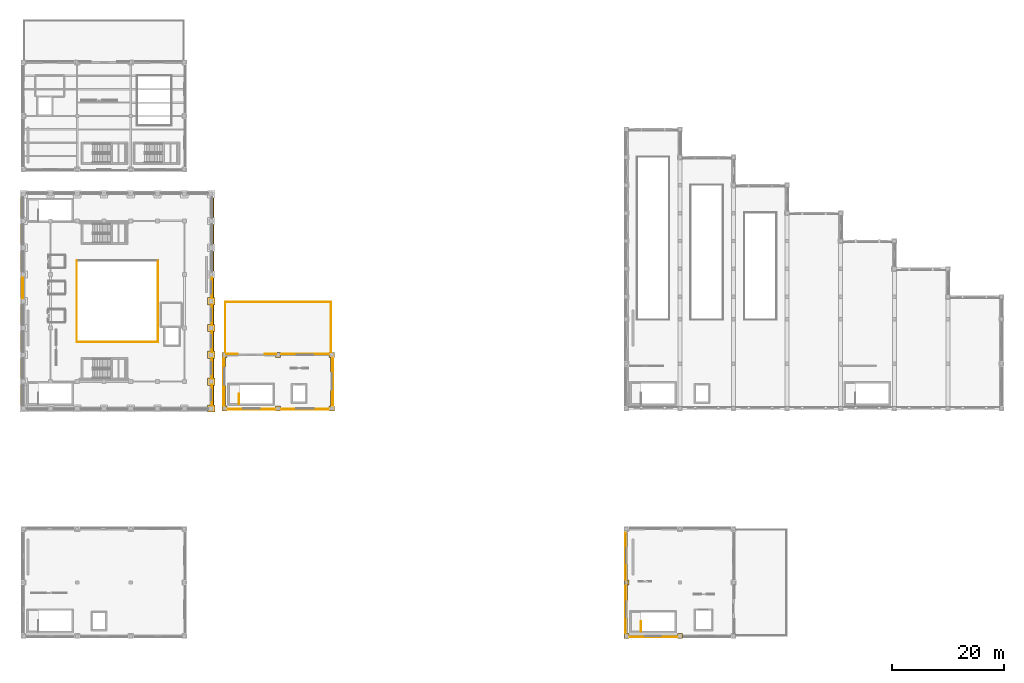
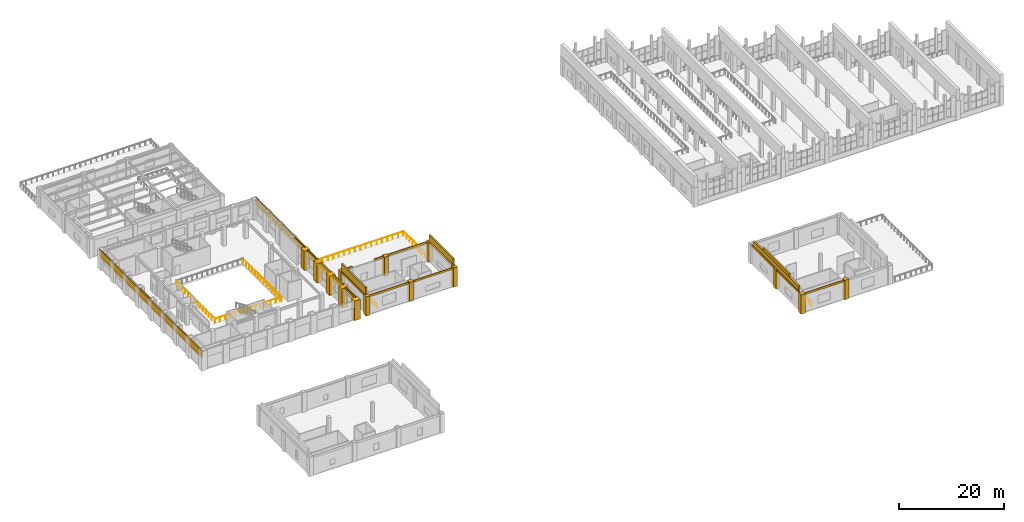
# One storey, part 38 of 46: 36 coverings, 8 railings.
"""IFC4 building model written with IfcOpenShell, lengths in metres."""

import ifcopenshell
import ifcopenshell.guid

model = None  # the IFC model being written
_history = None  # IfcOwnerHistory: only IFC2X3 demands one
_inside = {}  # id of a spatial element -> (the spatial element, [elements in it])
_under = {}  # id of a project, library or spatial element -> (it, [spatial elements below it])
_declared = {}  # id of a project -> (the project, [libraries it declares])
_typed = {}  # id of a type object -> (the type object, [elements of that type])
_made_of = {}  # id of a material, layer set ... -> (it, [elements and type objects made of it])


def new_model(schema):
    """Start an empty IFC model of exactly this schema.

    Asked for "IFC4X3", IfcOpenShell would pick the latest addendum, in which some entities
    have other attributes; the version numbers below select the first issue.
    IFC2X3 requires an IfcOwnerHistory on every rooted entity: one is made here for all.
    """
    global model, _history
    if schema == "IFC4X3":
        model = ifcopenshell.file(schema_version=(4, 3, 0, 0))
    else:
        model = ifcopenshell.file(schema=schema)
    _inside.clear()
    _under.clear()
    _declared.clear()
    _typed.clear()
    _made_of.clear()
    _history = None
    if model.schema == "IFC2X3":
        org = make("IfcOrganization", Name="unknown")
        user = make(
            "IfcPersonAndOrganization",
            ThePerson=make("IfcPerson", FamilyName="unknown"),
            TheOrganization=org,
        )
        app = make(
            "IfcApplication",
            ApplicationDeveloper=org,
            Version="unknown",
            ApplicationFullName="unknown",
            ApplicationIdentifier="unknown",
        )
        _history = make(
            "IfcOwnerHistory",
            OwningUser=user,
            OwningApplication=app,
            ChangeAction="ADDED",
            CreationDate=0,
        )
    return model


def make(cls, **values):
    """One entity of the class cls with the attributes given. An attribute that is None is left unset."""
    return model.create_entity(
        cls, **{name: value for name, value in values.items() if value is not None}
    )


def rooted(cls, **values):
    """An entity with a GlobalId (a new one), such as an element, a storey or a relation."""
    return make(cls, GlobalId=ifcopenshell.guid.new(), OwnerHistory=_history, **values)


def si_unit(unit_type, name, prefix=None):
    """IfcSIUnit, for example si_unit("LENGTHUNIT", "METRE", prefix="MILLI")."""
    return make("IfcSIUnit", UnitType=unit_type, Prefix=prefix, Name=name)


def assignment(units):
    """IfcUnitAssignment: the units of a project."""
    return None if units is None else make("IfcUnitAssignment", Units=units)


def point(xyz):
    """IfcCartesianPoint."""
    return None if xyz is None else make("IfcCartesianPoint", Coordinates=xyz)


def direction(xyz):
    """IfcDirection."""
    return None if xyz is None else make("IfcDirection", DirectionRatios=xyz)


def frame(location, z_axis=None, x_axis=None):
    """IfcAxis2Placement3D, a coordinate frame: its origin and axes. An axis left out is left unset."""
    return make(
        "IfcAxis2Placement3D",
        Location=point(location),
        Axis=direction(z_axis),
        RefDirection=direction(x_axis),
    )


def frame_2d(location, x_axis=None):
    """IfcAxis2Placement2D, a coordinate frame in the plane: its origin and x axis."""
    return make(
        "IfcAxis2Placement2D", Location=point(location), RefDirection=direction(x_axis)
    )


def origin():
    """The frame at (0, 0, 0) with its axes left unset."""
    return frame((0.0, 0.0, 0.0))


def origin_2d():
    """The frame at (0, 0) in the plane with its x axis left unset."""
    return frame_2d((0.0, 0.0))


def place(relative_to, where):
    """IfcLocalPlacement: puts the frame where relative to a parent placement (None: the world)."""
    return make(
        "IfcLocalPlacement", PlacementRelTo=relative_to, RelativePlacement=where
    )


def context(
    kind, dimensions, precision=None, world=None, true_north=None, identifier=None
):
    """IfcGeometricRepresentationContext, for example the 3D "Model" context."""
    return make(
        "IfcGeometricRepresentationContext",
        ContextIdentifier=identifier,
        ContextType=kind,
        CoordinateSpaceDimension=dimensions,
        Precision=precision,
        WorldCoordinateSystem=world,
        TrueNorth=true_north,
    )


def subcontext(parent, identifier, kind, view, scale=None):
    """IfcGeometricRepresentationSubContext, for example "Body" below "Model"."""
    return make(
        "IfcGeometricRepresentationSubContext",
        ContextIdentifier=identifier,
        ContextType=kind,
        ParentContext=parent,
        TargetScale=scale,
        TargetView=view,
    )


def project(units=None, contexts=None):
    """IfcProject with its units and contexts."""
    return rooted(
        "IfcProject",
        Name="project",
        RepresentationContexts=contexts,
        UnitsInContext=assignment(units),
    )


def spatial(cls, under=None, at=None, **own):
    """A site, building, storey or space (cls), placed at a placement, below another one or the project."""
    s = rooted(cls, ObjectPlacement=at, **own)
    if under is not None:
        _under.setdefault(under.id(), (under, []))[1].append(s)
    return s


def polyline(points):
    """IfcPolyline through the points."""
    return make("IfcPolyline", Points=[point(p) for p in points])


def profile(cls, at=None, kind="AREA", **sizes):
    """A parametric profile (cls). Its sizes go by their IFC names, for example OverallWidth=200.0."""
    return make(cls, ProfileType=kind, Position=at, **sizes)


def circle(**sizes):
    """IfcCircleProfileDef."""
    return profile("IfcCircleProfileDef", **sizes)


def outline(outer, holes=None, kind="AREA"):
    """IfcArbitraryClosedProfileDef: a profile drawn as a closed curve; with holes, ...WithVoids."""
    if holes is None:
        return make("IfcArbitraryClosedProfileDef", ProfileType=kind, OuterCurve=outer)
    return make(
        "IfcArbitraryProfileDefWithVoids",
        ProfileType=kind,
        OuterCurve=outer,
        InnerCurves=holes,
    )


def extrude(swept, where, along, depth):
    """IfcExtrudedAreaSolid: the profile swept, set in the frame where, extruded along a direction by depth."""
    return make(
        "IfcExtrudedAreaSolid",
        SweptArea=swept,
        Position=where,
        ExtrudedDirection=direction(along),
        Depth=depth,
    )


def shape(context_of_items, identifier, shape_type, items):
    """IfcShapeRepresentation: the items that make up one representation, for example the "Body"."""
    return make(
        "IfcShapeRepresentation",
        ContextOfItems=context_of_items,
        RepresentationIdentifier=identifier,
        RepresentationType=shape_type,
        Items=items,
    )


def material(Name=None, Category=None):
    """IfcMaterial."""
    return make("IfcMaterial", Name=Name, Category=Category)


def layer(
    of_material, thickness, ventilated=None, Name=None, Category=None, Priority=None
):
    """IfcMaterialLayer: one layer of a wall or slab, of a material (None: an air gap)."""
    return make(
        "IfcMaterialLayer",
        Material=of_material,
        LayerThickness=thickness,
        IsVentilated=ventilated,
        Name=Name,
        Category=Category,
        Priority=Priority,
    )


def layer_set(layers, Name=None):
    """IfcMaterialLayerSet."""
    return make("IfcMaterialLayerSet", MaterialLayers=layers, LayerSetName=Name)


def made_of(thing, what):
    """Note that an element or type object is made of a material, layer set ...; save() writes the relation."""
    if what is not None:
        _made_of.setdefault(what.id(), (what, []))[1].append(thing)
    return thing


def type_object(cls, material=None, **own):
    """A type object (cls), such as IfcWallType, which elements share."""
    return made_of(rooted(cls, **own), material)


def element(
    cls,
    number,
    at=None,
    inside=None,
    cuts=None,
    type_object=None,
    material=None,
    context=None,
    identifier="Body",
    shape_type=None,
    held_by="IfcProductDefinitionShape",
    body=None,
    shapes=None,
    **own,
):
    """One element of the class cls, such as IfcWall. Its Tag is "e" and its number.

    at: its placement. inside: the storey or other place that contains it. cuts: it is an
    opening in that element (IfcRelVoidsElement). A single representation is given by context,
    identifier, shape_type and body (its items); several are given by shapes. held_by: the class
    of the entity that holds the representations. save() writes the other relations.
    """
    e = rooted(cls, Tag="e%d" % number, ObjectPlacement=at, **own)
    if body is not None:
        shapes = [shape(context, identifier, shape_type, body)]
    if shapes is not None:
        e.Representation = make(held_by, Representations=shapes)
    if inside is not None:
        _inside.setdefault(inside.id(), (inside, []))[1].append(e)
    if cuts is not None:
        rooted(
            "IfcRelVoidsElement", RelatingBuildingElement=cuts, RelatedOpeningElement=e
        )
    if type_object is not None:
        _typed.setdefault(type_object.id(), (type_object, []))[1].append(e)
    return made_of(e, material)


def aggregate(whole, parts):
    """IfcRelAggregates: a whole, such as a stair, and the parts it consists of."""
    return rooted("IfcRelAggregates", RelatingObject=whole, RelatedObjects=parts)


def save(model, path):
    """Write the relations noted so far, then the file.

    IfcRelAggregates (storeys below a building ...), IfcRelContainedInSpatialStructure (elements
    in a storey), IfcRelDefinesByType, IfcRelAssociatesMaterial and IfcRelDeclares: one each for
    every whole, place, type object, material and project.
    """
    for whole, parts in _under.values():
        aggregate(whole, parts)
    for where, things in _inside.values():
        rooted(
            "IfcRelContainedInSpatialStructure",
            RelatedElements=things,
            RelatingStructure=where,
        )
    for kind, things in _typed.values():
        rooted("IfcRelDefinesByType", RelatedObjects=things, RelatingType=kind)
    for what, things in _made_of.values():
        rooted("IfcRelAssociatesMaterial", RelatedObjects=things, RelatingMaterial=what)
    for by, libraries in _declared.values():
        rooted("IfcRelDeclares", RelatingContext=by, RelatedDefinitions=libraries)
    model.write(path)


model = new_model("IFC4")

# Units and contexts
model_context = context("Model", 3, precision=1e-05, world=origin(), true_north=direction((0.0, 1.0)))
body_context = subcontext(model_context, "Body", "Model", "MODEL_VIEW")
ifc_project = project(units=[si_unit("LENGTHUNIT", "METRE"), si_unit("AREAUNIT", "SQUARE_METRE"), si_unit("VOLUMEUNIT", "CUBIC_METRE"), si_unit("PLANEANGLEUNIT", "RADIAN"), si_unit("MASSUNIT", "GRAM", prefix="KILO")], contexts=[model_context])

# Site, building, storey
site_placement = place(None, origin())
site = spatial("IfcSite", under=ifc_project, at=site_placement, CompositionType="ELEMENT")
building_placement = place(site_placement, origin())
building = spatial("IfcBuilding", under=site, at=building_placement, Name="Mavantir Sound Aquarium", CompositionType="ELEMENT")
storey_placement = place(building_placement, frame((0.0, 0.0, 15.300048828125)))
storey = spatial("IfcBuildingStorey", under=building, at=storey_placement, Name="L03", CompositionType="ELEMENT", Elevation=15.300048828125)

# Coverings
ifc_material_1 = material(Name="Honed Coral-Limestone & Glazed Terracotta Rainscreen Cladding", Category="masonry")
ifc_layer = layer(ifc_material_1, 0.06005859375, Name="Honed Coral-Limestone & Glazed Terracotta Rainscreen Cladding")
ifc_layer_set = layer_set([ifc_layer], Name="Honed Coral-Limestone & Glazed Terracotta Rainscreen Cladding")
covering_type = type_object("IfcCoveringType", Name="COV-CLAD-TC", PredefinedType="CLADDING", material=ifc_layer_set)
covering_1_placement = place(storey_placement, frame((0.0, 0.0, 4.02490234375)))
element("IfcCovering", 1, at=covering_1_placement, inside=storey, type_object=covering_type, Name="L03 Postmodern coral-limestone spandrel frieze 399", PredefinedType="CLADDING", context=body_context, shape_type="SweptSolid", body=[
    extrude(outline(polyline([(33.68994140625, 41.18310546875), (33.68994140625, 45.217041015625), (33.840087890625, 45.217041015625), (33.840087890625, 41.18310546875), (33.68994140625, 41.18310546875)])), origin(), (0.0, 0.0, 1.0), 0.47509765625),
])
covering_2_placement = place(storey_placement, frame((0.0, 0.0, 4.02490234375)))
element("IfcCovering", 2, at=covering_2_placement, inside=storey, type_object=covering_type, Name="L03 Postmodern coral-limestone spandrel frieze 400", PredefinedType="CLADDING", context=body_context, shape_type="SweptSolid", body=[
    extrude(outline(polyline([(33.68994140625, 45.98291015625), (33.68994140625, 50.01708984375), (33.840087890625, 50.01708984375), (33.840087890625, 45.98291015625), (33.68994140625, 45.98291015625)])), origin(), (0.0, 0.0, 1.0), 0.47509765625),
])
covering_3_placement = place(storey_placement, frame((0.0, 0.0, 4.02490234375)))
element("IfcCovering", 3, at=covering_3_placement, inside=storey, type_object=covering_type, Name="L03 Postmodern coral-limestone spandrel frieze 401", PredefinedType="CLADDING", context=body_context, shape_type="SweptSolid", body=[
    extrude(outline(polyline([(33.68994140625, 50.782958984375), (33.68994140625, 54.81689453125), (33.840087890625, 54.81689453125), (33.840087890625, 50.782958984375), (33.68994140625, 50.782958984375)])), origin(), (0.0, 0.0, 1.0), 0.47509765625),
])
covering_4_placement = place(storey_placement, frame((0.0, 0.0, 4.02490234375)))
element("IfcCovering", 4, at=covering_4_placement, inside=storey, type_object=covering_type, Name="L03 Postmodern coral-limestone spandrel frieze 402", PredefinedType="CLADDING", context=body_context, shape_type="SweptSolid", body=[
    extrude(outline(polyline([(33.68994140625, 55.5830078125), (33.68994140625, 59.616943359375), (33.840087890625, 59.616943359375), (33.840087890625, 55.5830078125), (33.68994140625, 55.5830078125)])), origin(), (0.0, 0.0, 1.0), 0.47509765625),
])
covering_5_placement = place(storey_placement, frame((0.0, 0.0, 4.02490234375)))
element("IfcCovering", 5, at=covering_5_placement, inside=storey, type_object=covering_type, Name="L03 Postmodern coral-limestone spandrel frieze 403", PredefinedType="CLADDING", context=body_context, shape_type="SweptSolid", body=[
    extrude(outline(polyline([(33.68994140625, 60.383056640625), (33.68994140625, 64.4169921875), (33.840087890625, 64.4169921875), (33.840087890625, 60.383056640625), (33.68994140625, 60.383056640625)])), origin(), (0.0, 0.0, 1.0), 0.47509765625),
])
covering_6_placement = place(storey_placement, frame((0.0, 0.0, 4.02490234375)))
element("IfcCovering", 6, at=covering_6_placement, inside=storey, type_object=covering_type, Name="L03 Postmodern coral-limestone spandrel frieze 417", PredefinedType="CLADDING", context=body_context, shape_type="SweptSolid", body=[
    extrude(outline(polyline([(-0.090087890625, 64.4169921875), (-0.090087890625, 60.383056640625), (-0.239990234375, 60.383056640625), (-0.239990234375, 64.4169921875), (-0.090087890625, 64.4169921875)])), origin(), (0.0, 0.0, 1.0), 0.47509765625),
])
covering_7_placement = place(storey_placement, frame((0.0, 0.0, 4.058349609375)))
element("IfcCovering", 7, at=covering_7_placement, inside=storey, type_object=covering_type, Name="L03 Postmodern coral-limestone spandrel frieze 429", PredefinedType="CLADDING", context=body_context, shape_type="SweptSolid", body=[
    extrude(outline(polyline([(55.2900390625, 41.10791015625), (55.2900390625, 50.092041015625), (55.43994140625, 50.092041015625), (55.43994140625, 41.10791015625), (55.2900390625, 41.10791015625)])), origin(), (0.0, 0.0, 1.0), 0.441650390625),
])
covering_8_placement = place(storey_placement, frame((0.0, 0.0, 4.058349609375)))
element("IfcCovering", 8, at=covering_8_placement, inside=storey, type_object=covering_type, Name="L03 Postmodern coral-limestone spandrel frieze 430", PredefinedType="CLADDING", context=body_context, shape_type="SweptSolid", body=[
    extrude(outline(polyline([(54.89208984375, 50.489990234375), (45.907958984375, 50.489990234375), (45.907958984375, 50.639892578125), (54.89208984375, 50.639892578125), (54.89208984375, 50.489990234375)])), origin(), (0.0, 0.0, 1.0), 0.441650390625),
])
covering_9_placement = place(storey_placement, frame((0.0, 0.0, 4.058349609375)))
element("IfcCovering", 9, at=covering_9_placement, inside=storey, type_object=covering_type, Name="L03 Postmodern coral-limestone spandrel frieze 431", PredefinedType="CLADDING", context=body_context, shape_type="SweptSolid", body=[
    extrude(outline(polyline([(45.2919921875, 50.489990234375), (43.205078125, 50.489990234375), (43.205078125, 50.639892578125), (45.2919921875, 50.639892578125), (45.2919921875, 50.489990234375)])), origin(), (0.0, 0.0, 1.0), 0.441650390625),
])
covering_10_placement = place(storey_placement, frame((0.0, 0.0, 4.058349609375)))
element("IfcCovering", 10, at=covering_10_placement, inside=storey, type_object=covering_type, Name="L03 Postmodern coral-limestone spandrel frieze 432", PredefinedType="CLADDING", context=body_context, shape_type="SweptSolid", body=[
    extrude(outline(polyline([(38.39501953125, 50.489990234375), (36.30810546875, 50.489990234375), (36.30810546875, 50.639892578125), (38.39501953125, 50.639892578125), (38.39501953125, 50.489990234375)])), origin(), (0.0, 0.0, 1.0), 0.441650390625),
])
covering_11_placement = place(storey_placement, frame((0.0, 0.0, 4.058349609375)))
element("IfcCovering", 11, at=covering_11_placement, inside=storey, type_object=covering_type, Name="L03 Postmodern coral-limestone spandrel frieze 433", PredefinedType="CLADDING", context=body_context, shape_type="SweptSolid", body=[
    extrude(outline(polyline([(35.909912109375, 50.092041015625), (35.909912109375, 41.10791015625), (35.760009765625, 41.10791015625), (35.760009765625, 50.092041015625), (35.909912109375, 50.092041015625)])), origin(), (0.0, 0.0, 1.0), 0.441650390625),
])
covering_12_placement = place(storey_placement, frame((0.0, 0.0, 4.058349609375)))
element("IfcCovering", 12, at=covering_12_placement, inside=storey, type_object=covering_type, Name="L03 Postmodern coral-limestone spandrel frieze 434", PredefinedType="CLADDING", context=body_context, shape_type="SweptSolid", body=[
    extrude(outline(polyline([(36.30810546875, 40.7099609375), (45.2919921875, 40.7099609375), (45.2919921875, 40.56005859375), (36.30810546875, 40.56005859375), (36.30810546875, 40.7099609375)])), origin(), (0.0, 0.0, 1.0), 0.441650390625),
])
covering_13_placement = place(storey_placement, frame((0.0, 0.0, 4.058349609375)))
element("IfcCovering", 13, at=covering_13_placement, inside=storey, type_object=covering_type, Name="L03 Postmodern coral-limestone spandrel frieze 435", PredefinedType="CLADDING", context=body_context, shape_type="SweptSolid", body=[
    extrude(outline(polyline([(45.907958984375, 40.7099609375), (54.89208984375, 40.7099609375), (54.89208984375, 40.56005859375), (45.907958984375, 40.56005859375), (45.907958984375, 40.7099609375)])), origin(), (0.0, 0.0, 1.0), 0.441650390625),
])
covering_14_placement = place(storey_placement, frame((0.0, 0.0, 4.070556640625)))
element("IfcCovering", 14, at=covering_14_placement, inside=storey, type_object=covering_type, Name="L03 Postmodern coral-limestone spandrel frieze 480", PredefinedType="CLADDING", context=body_context, shape_type="SweptSolid", body=[
    extrude(outline(polyline([(107.909912109375, 18.89208984375), (107.909912109375, 9.907958984375), (107.760009765625, 9.907958984375), (107.760009765625, 18.89208984375), (107.909912109375, 18.89208984375)])), origin(), (0.0, 0.0, 1.0), 0.429443359375),
])
covering_15_placement = place(storey_placement, frame((0.0, 0.0, 4.070556640625)))
element("IfcCovering", 15, at=covering_15_placement, inside=storey, type_object=covering_type, Name="L03 Postmodern coral-limestone spandrel frieze 481", PredefinedType="CLADDING", context=body_context, shape_type="SweptSolid", body=[
    extrude(outline(polyline([(107.909912109375, 9.2919921875), (107.909912109375, 0.30810546875), (107.760009765625, 0.30810546875), (107.760009765625, 9.2919921875), (107.909912109375, 9.2919921875)])), origin(), (0.0, 0.0, 1.0), 0.429443359375),
])
covering_16_placement = place(storey_placement, frame((0.0, 0.0, 4.070556640625)))
element("IfcCovering", 16, at=covering_16_placement, inside=storey, type_object=covering_type, Name="L03 Postmodern coral-limestone spandrel frieze 482", PredefinedType="CLADDING", context=body_context, shape_type="SweptSolid", body=[
    extrude(outline(polyline([(108.30810546875, -0.090087890625), (117.2919921875, -0.090087890625), (117.2919921875, -0.239990234375), (108.30810546875, -0.239990234375), (108.30810546875, -0.090087890625)])), origin(), (0.0, 0.0, 1.0), 0.429443359375),
])
covering_17_placement = place(storey_placement, origin())
element("IfcCovering", 17, at=covering_17_placement, inside=storey, type_object=covering_type, Name="L03 Postmodern coral-limestone pilaster casing 88", PredefinedType="CLADDING", context=body_context, shape_type="SweptSolid", body=[
    extrude(outline(polyline([(32.949951171875, 40.14990234375), (34.25, 40.14990234375), (34.25, 41.449951171875), (32.949951171875, 41.449951171875), (32.949951171875, 40.14990234375)])), origin(), (0.0, 0.0, 1.0), 4.5),
])
covering_18_placement = place(storey_placement, origin())
element("IfcCovering", 18, at=covering_18_placement, inside=storey, type_object=covering_type, Name="L03 Postmodern coral-limestone pilaster casing 92", PredefinedType="CLADDING", context=body_context, shape_type="SweptSolid", body=[
    extrude(outline(polyline([(32.949951171875, 44.949951171875), (34.25, 44.949951171875), (34.25, 46.25), (32.949951171875, 46.25), (32.949951171875, 44.949951171875)])), origin(), (0.0, 0.0, 1.0), 4.5),
])
covering_19_placement = place(storey_placement, origin())
element("IfcCovering", 19, at=covering_19_placement, inside=storey, type_object=covering_type, Name="L03 Postmodern coral-limestone pilaster casing 96", PredefinedType="CLADDING", context=body_context, shape_type="SweptSolid", body=[
    extrude(outline(polyline([(32.949951171875, 49.75), (34.25, 49.75), (34.25, 51.050048828125), (32.949951171875, 51.050048828125), (32.949951171875, 49.75)])), origin(), (0.0, 0.0, 1.0), 4.5),
])
covering_20_placement = place(storey_placement, origin())
element("IfcCovering", 20, at=covering_20_placement, inside=storey, type_object=covering_type, Name="L03 Postmodern coral-limestone pilaster casing 100", PredefinedType="CLADDING", context=body_context, shape_type="SweptSolid", body=[
    extrude(outline(polyline([(32.949951171875, 54.550048828125), (34.25, 54.550048828125), (34.25, 55.85009765625), (32.949951171875, 55.85009765625), (32.949951171875, 54.550048828125)])), origin(), (0.0, 0.0, 1.0), 4.5),
])
covering_21_placement = place(storey_placement, origin())
element("IfcCovering", 21, at=covering_21_placement, inside=storey, type_object=covering_type, Name="L03 Postmodern coral-limestone pilaster casing 104", PredefinedType="CLADDING", context=body_context, shape_type="SweptSolid", body=[
    extrude(outline(polyline([(32.949951171875, 59.35009765625), (34.25, 59.35009765625), (34.25, 60.64990234375), (32.949951171875, 60.64990234375), (32.949951171875, 59.35009765625)])), origin(), (0.0, 0.0, 1.0), 4.5),
])
covering_22_placement = place(storey_placement, origin())
element("IfcCovering", 22, at=covering_22_placement, inside=storey, type_object=covering_type, Name="L03 Postmodern coral-limestone pilaster casing 124", PredefinedType="CLADDING", context=body_context, shape_type="SweptSolid", body=[
    extrude(outline(polyline([(35.5400390625, 40.340087890625), (36.4599609375, 40.340087890625), (36.4599609375, 41.260009765625), (35.5400390625, 41.260009765625), (35.5400390625, 40.340087890625)])), origin(), (0.0, 0.0, 1.0), 4.5),
])
covering_23_placement = place(storey_placement, origin())
element("IfcCovering", 23, at=covering_23_placement, inside=storey, type_object=covering_type, Name="L03 Postmodern coral-limestone pilaster casing 128", PredefinedType="CLADDING", context=body_context, shape_type="SweptSolid", body=[
    extrude(outline(polyline([(35.5400390625, 49.93994140625), (36.4599609375, 49.93994140625), (36.4599609375, 50.860107421875), (35.5400390625, 50.860107421875), (35.5400390625, 49.93994140625)])), origin(), (0.0, 0.0, 1.0), 4.5),
])
covering_24_placement = place(storey_placement, origin())
element("IfcCovering", 24, at=covering_24_placement, inside=storey, type_object=covering_type, Name="L03 Postmodern coral-limestone pilaster casing 137", PredefinedType="CLADDING", context=body_context, shape_type="SweptSolid", body=[
    extrude(outline(polyline([(45.139892578125, 40.340087890625), (46.06005859375, 40.340087890625), (46.06005859375, 41.260009765625), (45.139892578125, 41.260009765625), (45.139892578125, 40.340087890625)])), origin(), (0.0, 0.0, 1.0), 4.5),
])
covering_25_placement = place(storey_placement, origin())
element("IfcCovering", 25, at=covering_25_placement, inside=storey, type_object=covering_type, Name="L03 Postmodern coral-limestone pilaster casing 138", PredefinedType="CLADDING", context=body_context, shape_type="SweptSolid", body=[
    extrude(outline(polyline([(45.139892578125, 49.93994140625), (46.06005859375, 49.93994140625), (46.06005859375, 50.860107421875), (45.139892578125, 50.860107421875), (45.139892578125, 49.93994140625)])), origin(), (0.0, 0.0, 1.0), 4.5),
])
covering_26_placement = place(storey_placement, origin())
element("IfcCovering", 26, at=covering_26_placement, inside=storey, type_object=covering_type, Name="L03 Postmodern coral-limestone pilaster casing 145", PredefinedType="CLADDING", context=body_context, shape_type="SweptSolid", body=[
    extrude(outline(polyline([(54.739990234375, 40.340087890625), (55.659912109375, 40.340087890625), (55.659912109375, 41.260009765625), (54.739990234375, 41.260009765625), (54.739990234375, 40.340087890625)])), origin(), (0.0, 0.0, 1.0), 4.5),
])
covering_27_placement = place(storey_placement, origin())
element("IfcCovering", 27, at=covering_27_placement, inside=storey, type_object=covering_type, Name="L03 Postmodern coral-limestone pilaster casing 147", PredefinedType="CLADDING", context=body_context, shape_type="SweptSolid", body=[
    extrude(outline(polyline([(54.739990234375, 49.93994140625), (55.659912109375, 49.93994140625), (55.659912109375, 50.860107421875), (54.739990234375, 50.860107421875), (54.739990234375, 49.93994140625)])), origin(), (0.0, 0.0, 1.0), 4.5),
])
covering_28_placement = place(storey_placement, origin())
element("IfcCovering", 28, at=covering_28_placement, inside=storey, type_object=covering_type, Name="L03 Postmodern coral-limestone pilaster casing 420", PredefinedType="CLADDING", context=body_context, shape_type="SweptSolid", body=[
    extrude(outline(polyline([(107.5400390625, -0.4599609375), (108.4599609375, -0.4599609375), (108.4599609375, 0.4599609375), (107.5400390625, 0.4599609375), (107.5400390625, -0.4599609375)])), origin(), (0.0, 0.0, 1.0), 4.5),
])
covering_29_placement = place(storey_placement, origin())
element("IfcCovering", 29, at=covering_29_placement, inside=storey, type_object=covering_type, Name="L03 Postmodern coral-limestone pilaster casing 424", PredefinedType="CLADDING", context=body_context, shape_type="SweptSolid", body=[
    extrude(outline(polyline([(107.5400390625, 9.139892578125), (108.4599609375, 9.139892578125), (108.4599609375, 10.06005859375), (107.5400390625, 10.06005859375), (107.5400390625, 9.139892578125)])), origin(), (0.0, 0.0, 1.0), 4.5),
])
covering_30_placement = place(storey_placement, origin())
element("IfcCovering", 30, at=covering_30_placement, inside=storey, type_object=covering_type, Name="L03 Postmodern coral-limestone pilaster casing 433", PredefinedType="CLADDING", context=body_context, shape_type="SweptSolid", body=[
    extrude(outline(polyline([(117.139892578125, -0.4599609375), (118.06005859375, -0.4599609375), (118.06005859375, 0.4599609375), (117.139892578125, 0.4599609375), (117.139892578125, -0.4599609375)])), origin(), (0.0, 0.0, 1.0), 4.5),
])
covering_31_placement = place(storey_placement, frame((0.0, 0.0, 2.89990234375)))
element("IfcCovering", 31, at=covering_31_placement, inside=storey, type_object=covering_type, Name="L03 Postmodern coral-limestone tympanum closure V1-ENT-W", PredefinedType="CLADDING", context=body_context, shape_type="SweptSolid", body=[
    extrude(outline(polyline([(-0.47998046875, 40.5), (-0.239990234375, 40.5), (-0.239990234375, 79.5), (-0.47998046875, 79.5), (-0.47998046875, 40.5)])), origin(), (0.0, 0.0, 1.0), 1.60009765625),
])
covering_32_placement = place(storey_placement, frame((0.0, 0.0, 2.89990234375)))
element("IfcCovering", 32, at=covering_32_placement, inside=storey, type_object=covering_type, Name="L03 Postmodern coral-limestone tympanum closure V1-ENT-E", PredefinedType="CLADDING", context=body_context, shape_type="SweptSolid", body=[
    extrude(outline(polyline([(33.840087890625, 40.5), (34.080078125, 40.5), (34.080078125, 79.5), (33.840087890625, 79.5), (33.840087890625, 40.5)])), origin(), (0.0, 0.0, 1.0), 1.60009765625),
])
covering_33_placement = place(storey_placement, frame((0.0, 0.0, 4.5)))
element("IfcCovering", 33, at=covering_33_placement, inside=storey, type_object=covering_type, Name="L03 Postmodern coral-limestone tympanum closure V2-TYM-W", PredefinedType="CLADDING", context=body_context, shape_type="SweptSolid", body=[
    extrude(outline(polyline([(35.820068359375, 41.0), (36.179931640625, 41.0), (36.179931640625, 50.199951171875), (35.820068359375, 50.199951171875), (35.820068359375, 41.0)])), origin(), (0.0, 0.0, 1.0), 1.64990234375),
])
covering_34_placement = place(storey_placement, frame((0.0, 0.0, 4.5)))
element("IfcCovering", 34, at=covering_34_placement, inside=storey, type_object=covering_type, Name="L03 Postmodern coral-limestone tympanum closure V2-TYM-E", PredefinedType="CLADDING", context=body_context, shape_type="SweptSolid", body=[
    extrude(outline(polyline([(55.02001953125, 41.0), (55.3798828125, 41.0), (55.3798828125, 50.199951171875), (55.02001953125, 50.199951171875), (55.02001953125, 41.0)])), origin(), (0.0, 0.0, 1.0), 1.64990234375),
])
covering_35_placement = place(storey_placement, frame((0.0, 0.0, 4.5)))
element("IfcCovering", 35, at=covering_35_placement, inside=storey, type_object=covering_type, Name="L03 Postmodern coral-limestone tympanum closure V6-TYM-W1", PredefinedType="CLADDING", context=body_context, shape_type="SweptSolid", body=[
    extrude(outline(polyline([(107.820068359375, 1.0), (108.179931640625, 1.0), (108.179931640625, 18.199951171875), (107.820068359375, 18.199951171875), (107.820068359375, 1.0)])), origin(), (0.0, 0.0, 1.0), 1.099853515625),
])
covering_36_placement = place(storey_placement, frame((0.0, 0.0, 5.599853515625)))
element("IfcCovering", 36, at=covering_36_placement, inside=storey, type_object=covering_type, Name="L03 Postmodern coral-limestone tympanum closure V6-TYM-W2", PredefinedType="CLADDING", context=body_context, shape_type="SweptSolid", body=[
    extrude(outline(polyline([(107.820068359375, 4.60009765625), (108.179931640625, 4.60009765625), (108.179931640625, 14.60009765625), (107.820068359375, 14.60009765625), (107.820068359375, 4.60009765625)])), origin(), (0.0, 0.0, 1.0), 0.650146484375),
])

# Railings
ifc_material_2 = material(Name="Stainless Steel 316 and Laminated Glass Guardrail", Category="steel")
railing_type = type_object("IfcRailingType", Name="RL-GUARD-110", PredefinedType="GUARDRAIL", material=ifc_material_2)
railing_1_placement = place(storey_placement, frame((36.1201171875, 50.52001953125, 0.0)))
element("IfcRailing", 37, at=railing_1_placement, inside=storey, type_object=railing_type, Name="L03 terrace W guardrail 19", PredefinedType="GUARDRAIL", context=body_context, shape_type="SweptSolid", body=[
    extrude(circle(Radius=0.02392578125, at=origin_2d()), frame((0.0, 0.0, 1.076171875), z_axis=(0.0, 1.0, 0.0), x_axis=(-1.0, 0.0, 0.0)), (0.0, 0.0, 1.0), 9.35986328125),
    extrude(circle(Radius=0.02099609375, at=origin_2d()), origin(), (0.0, 0.0, 1.0), 1.052001953125),
    extrude(circle(Radius=0.02099609375, at=origin_2d()), frame((0.0, 1.169921875, 0.0)), (0.0, 0.0, 1.0), 1.052001953125),
    extrude(circle(Radius=0.02099609375, at=origin_2d()), frame((0.0, 2.33984375, 0.0)), (0.0, 0.0, 1.0), 1.052001953125),
    extrude(circle(Radius=0.02099609375, at=origin_2d()), frame((0.0, 3.510009765625, 0.0)), (0.0, 0.0, 1.0), 1.052001953125),
    extrude(circle(Radius=0.02099609375, at=origin_2d()), frame((0.0, 4.679931640625, 0.0)), (0.0, 0.0, 1.0), 1.052001953125),
    extrude(circle(Radius=0.02099609375, at=origin_2d()), frame((0.0, 5.849853515625, 0.0)), (0.0, 0.0, 1.0), 1.052001953125),
    extrude(circle(Radius=0.02099609375, at=origin_2d()), frame((0.0, 7.02001953125, 0.0)), (0.0, 0.0, 1.0), 1.052001953125),
    extrude(circle(Radius=0.02099609375, at=origin_2d()), frame((0.0, 8.18994140625, 0.0)), (0.0, 0.0, 1.0), 1.052001953125),
    extrude(circle(Radius=0.02099609375, at=origin_2d()), frame((0.0, 9.35986328125, 0.0)), (0.0, 0.0, 1.0), 1.052001953125),
])
railing_2_placement = place(storey_placement, frame((36.1201171875, 59.8798828125, 0.0)))
element("IfcRailing", 38, at=railing_2_placement, inside=storey, type_object=railing_type, Name="L03 terrace N guardrail 20", PredefinedType="GUARDRAIL", context=body_context, shape_type="SweptSolid", body=[
    extrude(circle(Radius=0.02392578125, at=origin_2d()), frame((0.0, 0.0, 1.076171875), z_axis=(1.0, 0.0, 0.0), x_axis=(0.0, 1.0, 0.0)), (0.0, 0.0, 1.0), 18.9599609375),
    extrude(circle(Radius=0.02099609375, at=origin_2d()), origin(), (0.0, 0.0, 1.0), 1.052001953125),
    extrude(circle(Radius=0.02099609375, at=origin_2d()), frame((1.18505859375, 0.0, 0.0)), (0.0, 0.0, 1.0), 1.052001953125),
    extrude(circle(Radius=0.02099609375, at=origin_2d()), frame((2.3701171875, 0.0, 0.0)), (0.0, 0.0, 1.0), 1.052001953125),
    extrude(circle(Radius=0.02099609375, at=origin_2d()), frame((3.554931640625, 0.0, 0.0)), (0.0, 0.0, 1.0), 1.052001953125),
    extrude(circle(Radius=0.02099609375, at=origin_2d()), frame((4.739990234375, 0.0, 0.0)), (0.0, 0.0, 1.0), 1.052001953125),
    extrude(circle(Radius=0.02099609375, at=origin_2d()), frame((5.925048828125, 0.0, 0.0)), (0.0, 0.0, 1.0), 1.052001953125),
    extrude(circle(Radius=0.02099609375, at=origin_2d()), frame((7.10986328125, 0.0, 0.0)), (0.0, 0.0, 1.0), 1.052001953125),
    extrude(circle(Radius=0.02099609375, at=origin_2d()), frame((8.294921875, 0.0, 0.0)), (0.0, 0.0, 1.0), 1.052001953125),
    extrude(circle(Radius=0.02099609375, at=origin_2d()), frame((9.47998046875, 0.0, 0.0)), (0.0, 0.0, 1.0), 1.052001953125),
    extrude(circle(Radius=0.02099609375, at=origin_2d()), frame((10.6650390625, 0.0, 0.0)), (0.0, 0.0, 1.0), 1.052001953125),
    extrude(circle(Radius=0.02099609375, at=origin_2d()), frame((11.85009765625, 0.0, 0.0)), (0.0, 0.0, 1.0), 1.052001953125),
    extrude(circle(Radius=0.02099609375, at=origin_2d()), frame((13.034912109375, 0.0, 0.0)), (0.0, 0.0, 1.0), 1.052001953125),
    extrude(circle(Radius=0.02099609375, at=origin_2d()), frame((14.219970703125, 0.0, 0.0)), (0.0, 0.0, 1.0), 1.052001953125),
    extrude(circle(Radius=0.02099609375, at=origin_2d()), frame((15.405029296875, 0.0, 0.0)), (0.0, 0.0, 1.0), 1.052001953125),
    extrude(circle(Radius=0.02099609375, at=origin_2d()), frame((16.58984375, 0.0, 0.0)), (0.0, 0.0, 1.0), 1.052001953125),
    extrude(circle(Radius=0.02099609375, at=origin_2d()), frame((17.77490234375, 0.0, 0.0)), (0.0, 0.0, 1.0), 1.052001953125),
    extrude(circle(Radius=0.02099609375, at=origin_2d()), frame((18.9599609375, 0.0, 0.0)), (0.0, 0.0, 1.0), 1.052001953125),
])
railing_3_placement = place(storey_placement, frame((55.080078125, 50.52001953125, 0.0)))
element("IfcRailing", 39, at=railing_3_placement, inside=storey, type_object=railing_type, Name="L03 terrace E guardrail 21", PredefinedType="GUARDRAIL", context=body_context, shape_type="SweptSolid", body=[
    extrude(circle(Radius=0.02392578125, at=origin_2d()), frame((0.0, 0.0, 1.076171875), z_axis=(0.0, 1.0, 0.0), x_axis=(-1.0, 0.0, 0.0)), (0.0, 0.0, 1.0), 9.35986328125),
    extrude(circle(Radius=0.02099609375, at=origin_2d()), origin(), (0.0, 0.0, 1.0), 1.052001953125),
    extrude(circle(Radius=0.02099609375, at=origin_2d()), frame((0.0, 1.169921875, 0.0)), (0.0, 0.0, 1.0), 1.052001953125),
    extrude(circle(Radius=0.02099609375, at=origin_2d()), frame((0.0, 2.33984375, 0.0)), (0.0, 0.0, 1.0), 1.052001953125),
    extrude(circle(Radius=0.02099609375, at=origin_2d()), frame((0.0, 3.510009765625, 0.0)), (0.0, 0.0, 1.0), 1.052001953125),
    extrude(circle(Radius=0.02099609375, at=origin_2d()), frame((0.0, 4.679931640625, 0.0)), (0.0, 0.0, 1.0), 1.052001953125),
    extrude(circle(Radius=0.02099609375, at=origin_2d()), frame((0.0, 5.849853515625, 0.0)), (0.0, 0.0, 1.0), 1.052001953125),
    extrude(circle(Radius=0.02099609375, at=origin_2d()), frame((0.0, 7.02001953125, 0.0)), (0.0, 0.0, 1.0), 1.052001953125),
    extrude(circle(Radius=0.02099609375, at=origin_2d()), frame((0.0, 8.18994140625, 0.0)), (0.0, 0.0, 1.0), 1.052001953125),
    extrude(circle(Radius=0.02099609375, at=origin_2d()), frame((0.0, 9.35986328125, 0.0)), (0.0, 0.0, 1.0), 1.052001953125),
])
railing_4_placement = place(storey_placement, frame((9.5, 52.699951171875, 0.0)))
element("IfcRailing", 40, at=railing_4_placement, inside=storey, type_object=railing_type, Name="L03 atrium void S guardrail 143", PredefinedType="GUARDRAIL", context=body_context, shape_type="SweptSolid", body=[
    extrude(circle(Radius=0.02392578125, at=origin_2d()), frame((0.0, 0.0, 1.076171875), z_axis=(1.0, 0.0, 0.0), x_axis=(0.0, 1.0, 0.0)), (0.0, 0.0, 1.0), 14.52001953125),
    extrude(circle(Radius=0.02099609375, at=origin_2d()), origin(), (0.0, 0.0, 1.0), 1.052001953125),
    extrude(circle(Radius=0.02099609375, at=origin_2d()), frame((1.116943359375, 0.0, 0.0)), (0.0, 0.0, 1.0), 1.052001953125),
    extrude(circle(Radius=0.02099609375, at=origin_2d()), frame((2.23388671875, 0.0, 0.0)), (0.0, 0.0, 1.0), 1.052001953125),
    extrude(circle(Radius=0.02099609375, at=origin_2d()), frame((3.350830078125, 0.0, 0.0)), (0.0, 0.0, 1.0), 1.052001953125),
    extrude(circle(Radius=0.02099609375, at=origin_2d()), frame((4.4677734375, 0.0, 0.0)), (0.0, 0.0, 1.0), 1.052001953125),
    extrude(circle(Radius=0.02099609375, at=origin_2d()), frame((5.584716796875, 0.0, 0.0)), (0.0, 0.0, 1.0), 1.052001953125),
    extrude(circle(Radius=0.02099609375, at=origin_2d()), frame((6.70166015625, 0.0, 0.0)), (0.0, 0.0, 1.0), 1.052001953125),
    extrude(circle(Radius=0.02099609375, at=origin_2d()), frame((7.818359375, 0.0, 0.0)), (0.0, 0.0, 1.0), 1.052001953125),
    extrude(circle(Radius=0.02099609375, at=origin_2d()), frame((8.935302734375, 0.0, 0.0)), (0.0, 0.0, 1.0), 1.052001953125),
    extrude(circle(Radius=0.02099609375, at=origin_2d()), frame((10.05224609375, 0.0, 0.0)), (0.0, 0.0, 1.0), 1.052001953125),
    extrude(circle(Radius=0.02099609375, at=origin_2d()), frame((11.169189453125, 0.0, 0.0)), (0.0, 0.0, 1.0), 1.052001953125),
    extrude(circle(Radius=0.02099609375, at=origin_2d()), frame((12.2861328125, 0.0, 0.0)), (0.0, 0.0, 1.0), 1.052001953125),
    extrude(circle(Radius=0.02099609375, at=origin_2d()), frame((13.403076171875, 0.0, 0.0)), (0.0, 0.0, 1.0), 1.052001953125),
    extrude(circle(Radius=0.02099609375, at=origin_2d()), frame((14.52001953125, 0.0, 0.0)), (0.0, 0.0, 1.0), 1.052001953125),
])
railing_5_placement = place(storey_placement, frame((24.10009765625, 52.699951171875, 0.0)))
element("IfcRailing", 41, at=railing_5_placement, inside=storey, type_object=railing_type, Name="L03 atrium void E guardrail 144", PredefinedType="GUARDRAIL", context=body_context, shape_type="SweptSolid", body=[
    extrude(circle(Radius=0.02392578125, at=origin_2d()), frame((0.0, 0.0, 1.076171875), z_axis=(0.0, 1.0, 0.0), x_axis=(-1.0, 0.0, 0.0)), (0.0, 0.0, 1.0), 14.52001953125),
    extrude(circle(Radius=0.02099609375, at=origin_2d()), origin(), (0.0, 0.0, 1.0), 1.052001953125),
    extrude(circle(Radius=0.02099609375, at=origin_2d()), frame((0.0, 1.116943359375, 0.0)), (0.0, 0.0, 1.0), 1.052001953125),
    extrude(circle(Radius=0.02099609375, at=origin_2d()), frame((0.0, 2.23388671875, 0.0)), (0.0, 0.0, 1.0), 1.052001953125),
    extrude(circle(Radius=0.02099609375, at=origin_2d()), frame((0.0, 3.350830078125, 0.0)), (0.0, 0.0, 1.0), 1.052001953125),
    extrude(circle(Radius=0.02099609375, at=origin_2d()), frame((0.0, 4.4677734375, 0.0)), (0.0, 0.0, 1.0), 1.052001953125),
    extrude(circle(Radius=0.02099609375, at=origin_2d()), frame((0.0, 5.584716796875, 0.0)), (0.0, 0.0, 1.0), 1.052001953125),
    extrude(circle(Radius=0.02099609375, at=origin_2d()), frame((0.0, 6.70166015625, 0.0)), (0.0, 0.0, 1.0), 1.052001953125),
    extrude(circle(Radius=0.02099609375, at=origin_2d()), frame((0.0, 7.818359375, 0.0)), (0.0, 0.0, 1.0), 1.052001953125),
    extrude(circle(Radius=0.02099609375, at=origin_2d()), frame((0.0, 8.935302734375, 0.0)), (0.0, 0.0, 1.0), 1.052001953125),
    extrude(circle(Radius=0.02099609375, at=origin_2d()), frame((0.0, 10.05224609375, 0.0)), (0.0, 0.0, 1.0), 1.052001953125),
    extrude(circle(Radius=0.02099609375, at=origin_2d()), frame((0.0, 11.169189453125, 0.0)), (0.0, 0.0, 1.0), 1.052001953125),
    extrude(circle(Radius=0.02099609375, at=origin_2d()), frame((0.0, 12.2861328125, 0.0)), (0.0, 0.0, 1.0), 1.052001953125),
    extrude(circle(Radius=0.02099609375, at=origin_2d()), frame((0.0, 13.403076171875, 0.0)), (0.0, 0.0, 1.0), 1.052001953125),
    extrude(circle(Radius=0.02099609375, at=origin_2d()), frame((0.0, 14.52001953125, 0.0)), (0.0, 0.0, 1.0), 1.052001953125),
])
railing_6_placement = place(storey_placement, frame((9.5, 67.300048828125, 0.0)))
element("IfcRailing", 42, at=railing_6_placement, inside=storey, type_object=railing_type, Name="L03 atrium void W guardrail 146", PredefinedType="GUARDRAIL", context=body_context, shape_type="SweptSolid", body=[
    extrude(circle(Radius=0.02392578125, at=origin_2d()), frame((0.0, 0.0, 1.076171875), z_axis=(0.0, -1.0, 0.0), x_axis=(1.0, 0.0, 0.0)), (0.0, 0.0, 1.0), 14.52001953125),
    extrude(circle(Radius=0.02099609375, at=origin_2d()), origin(), (0.0, 0.0, 1.0), 1.052001953125),
    extrude(circle(Radius=0.02099609375, at=origin_2d()), frame((0.0, -1.116943359375, 0.0)), (0.0, 0.0, 1.0), 1.052001953125),
    extrude(circle(Radius=0.02099609375, at=origin_2d()), frame((0.0, -2.23388671875, 0.0)), (0.0, 0.0, 1.0), 1.052001953125),
    extrude(circle(Radius=0.02099609375, at=origin_2d()), frame((0.0, -3.350830078125, 0.0)), (0.0, 0.0, 1.0), 1.052001953125),
    extrude(circle(Radius=0.02099609375, at=origin_2d()), frame((0.0, -4.4677734375, 0.0)), (0.0, 0.0, 1.0), 1.052001953125),
    extrude(circle(Radius=0.02099609375, at=origin_2d()), frame((0.0, -5.584716796875, 0.0)), (0.0, 0.0, 1.0), 1.052001953125),
    extrude(circle(Radius=0.02099609375, at=origin_2d()), frame((0.0, -6.70166015625, 0.0)), (0.0, 0.0, 1.0), 1.052001953125),
    extrude(circle(Radius=0.02099609375, at=origin_2d()), frame((0.0, -7.818359375, 0.0)), (0.0, 0.0, 1.0), 1.052001953125),
    extrude(circle(Radius=0.02099609375, at=origin_2d()), frame((0.0, -8.935302734375, 0.0)), (0.0, 0.0, 1.0), 1.052001953125),
    extrude(circle(Radius=0.02099609375, at=origin_2d()), frame((0.0, -10.05224609375, 0.0)), (0.0, 0.0, 1.0), 1.052001953125),
    extrude(circle(Radius=0.02099609375, at=origin_2d()), frame((0.0, -11.169189453125, 0.0)), (0.0, 0.0, 1.0), 1.052001953125),
    extrude(circle(Radius=0.02099609375, at=origin_2d()), frame((0.0, -12.2861328125, 0.0)), (0.0, 0.0, 1.0), 1.052001953125),
    extrude(circle(Radius=0.02099609375, at=origin_2d()), frame((0.0, -13.403076171875, 0.0)), (0.0, 0.0, 1.0), 1.052001953125),
    extrude(circle(Radius=0.02099609375, at=origin_2d()), frame((0.0, -14.52001953125, 0.0)), (0.0, 0.0, 1.0), 1.052001953125),
])
for number, where, name in (
    (43, (110.60009765625, 0.85009765625, 0.0), "L03 ST6 top well guard 1"),
    (44, (38.60009765625, 41.60009765625, 0.0), "L03 ST8 top well guard 1"),
):
    element("IfcRailing", number, at=place(storey_placement, frame(where)), inside=storey, type_object=railing_type, Name=name, PredefinedType="GUARDRAIL", context=body_context, shape_type="SweptSolid", body=[
        extrude(circle(Radius=0.02392578125, at=origin_2d()), frame((0.0, 0.0, 1.076171875), z_axis=(0.0, 1.0, 0.0), x_axis=(-1.0, 0.0, 0.0)), (0.0, 0.0, 1.0), 1.7998046875),
        extrude(circle(Radius=0.02099609375, at=origin_2d()), origin(), (0.0, 0.0, 1.0), 1.052001953125),
        extrude(circle(Radius=0.02099609375, at=origin_2d()), frame((0.0, 0.89990234375, 0.0)), (0.0, 0.0, 1.0), 1.052001953125),
        extrude(circle(Radius=0.02099609375, at=origin_2d()), frame((0.0, 1.7998046875, 0.0)), (0.0, 0.0, 1.0), 1.052001953125),
    ])

save(model, "model.ifc")
